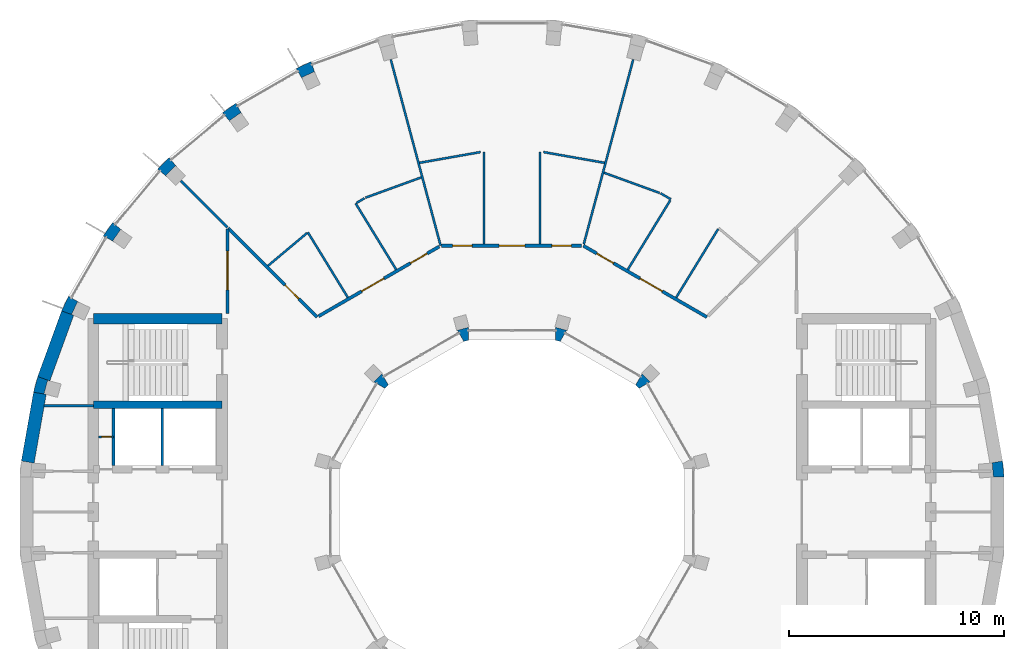
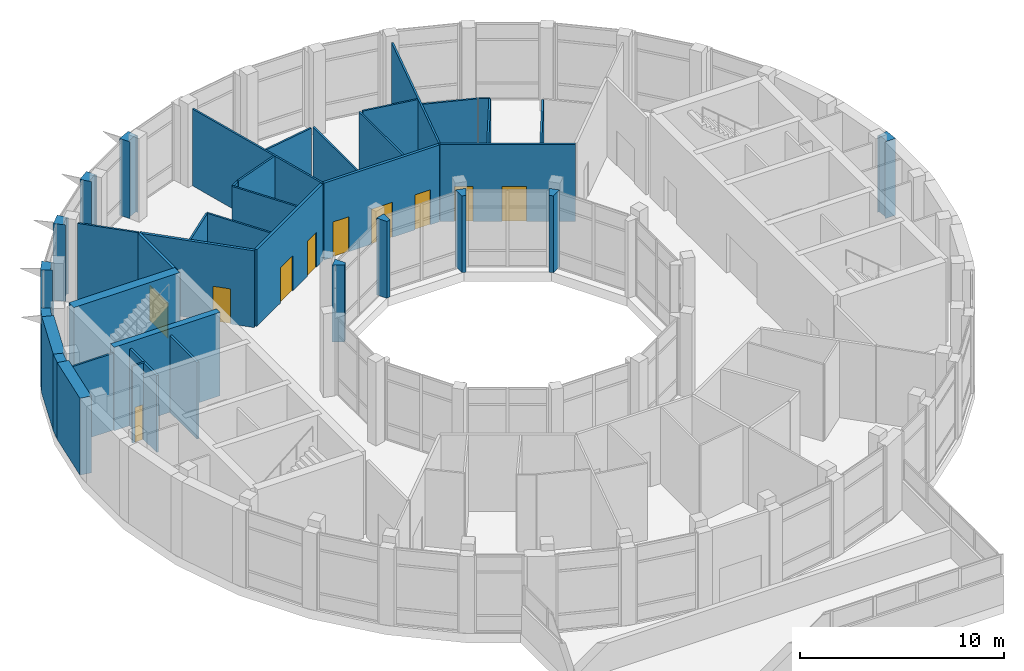
# One storey, part 16 of 19: 40 walls, 10 doors, 10 openings.
"""IFC4 building model written with IfcOpenShell, lengths in metres."""

from ifc_helpers import new_model, si_unit, direction, frame, frame_2d, origin, place, context, subcontext, project, spatial, polyline, rectangle, outline, extrude, material, layer, layer_set, type_object, element, fill, save


model = new_model("IFC4")

# Units and contexts
model_context = context("Model", 3, precision=1e-05, world=origin(), true_north=direction((0.0, 1.0)))
body_context = subcontext(model_context, "Body", "Model", "MODEL_VIEW")
ifc_project = project(units=[si_unit("LENGTHUNIT", "METRE"), si_unit("AREAUNIT", "SQUARE_METRE"), si_unit("VOLUMEUNIT", "CUBIC_METRE"), si_unit("PLANEANGLEUNIT", "RADIAN"), si_unit("MASSUNIT", "GRAM", prefix="KILO")], contexts=[model_context])

# Site, building, storey
site_placement = place(None, origin())
site = spatial("IfcSite", under=ifc_project, at=site_placement, CompositionType="ELEMENT")
building_placement = place(site_placement, origin())
building = spatial("IfcBuilding", under=site, at=building_placement, Name="Saqina Gate Tower", CompositionType="ELEMENT")
storey_placement = place(building_placement, frame((0.0, 0.0, 224.699951171875)))
storey = spatial("IfcBuildingStorey", under=building, at=storey_placement, Name="L64", CompositionType="ELEMENT", Elevation=224.699951171875)

# Walls
ifc_material_1 = material(Name="Brick masonry (buff)", Category="masonry")
wall_type_1 = type_object("IfcWallType", Name="BRICK PIER COPING BUFF", PredefinedType="SOLIDWALL", material=ifc_material_1)
wall_1_placement = place(storey_placement, origin())
element("IfcWall", 1, at=wall_1_placement, inside=storey, type_object=wall_type_1, Name="Pier cap L64 column 1", PredefinedType="SOLIDWALL", context=body_context, shape_type="SweptSolid", body=[
    extrude(outline(polyline([(22.91259765625, 1.625732421875), (22.8466796875, 2.377685546875), (22.255859375, 2.2734375), (22.361083984375, 2.28271484375), (22.417724609375, 1.635009765625), (22.3125, 1.625732421875), (22.91259765625, 1.625732421875)])), origin(), (0.0, 0.0, 1.0), 4.60009765625),
])
wall_2_placement = place(storey_placement, origin())
element("IfcWall", 2, at=wall_2_placement, inside=storey, type_object=wall_type_1, Name="Pier cap L64 column 12", PredefinedType="SOLIDWALL", context=body_context, shape_type="SweptSolid", body=[
    extrude(outline(polyline([(-9.3642578125, 20.974609375), (-10.048095703125, 20.65576171875), (-9.748291015625, 20.135986328125), (-9.79296875, 20.23193359375), (-9.203857421875, 20.506591796875), (-9.1591796875, 20.410888671875), (-9.3642578125, 20.974609375)])), origin(), (0.0, 0.0, 1.0), 4.60009765625),
])
wall_3_placement = place(storey_placement, origin())
element("IfcWall", 3, at=wall_3_placement, inside=storey, type_object=wall_type_1, Name="Pier cap L64 column 13", PredefinedType="SOLIDWALL", context=body_context, shape_type="SweptSolid", body=[
    extrude(outline(polyline([(-12.8642578125, 19.02978515625), (-13.482421875, 18.59716796875), (-13.0966796875, 18.137451171875), (-13.157470703125, 18.22412109375), (-12.625, 18.596923828125), (-12.564208984375, 18.51025390625), (-12.8642578125, 19.02978515625)])), origin(), (0.0, 0.0, 1.0), 4.60009765625),
])
wall_4_placement = place(storey_placement, origin())
element("IfcWall", 4, at=wall_4_placement, inside=storey, type_object=wall_type_1, Name="Pier cap L64 column 14", PredefinedType="SOLIDWALL", context=body_context, shape_type="SweptSolid", body=[
    extrude(outline(polyline([(-16.5068359375, 15.973388671875), (-16.04736328125, 15.587646484375), (-16.1220703125, 15.662353515625), (-15.662353515625, 16.1220703125), (-15.587646484375, 16.04736328125), (-15.973388671875, 16.5068359375), (-16.5068359375, 15.973388671875)])), origin(), (0.0, 0.0, 1.0), 4.60009765625),
])
wall_5_placement = place(storey_placement, origin())
element("IfcWall", 5, at=wall_5_placement, inside=storey, type_object=wall_type_1, Name="Pier cap L64 column 15", PredefinedType="SOLIDWALL", context=body_context, shape_type="SweptSolid", body=[
    extrude(outline(polyline([(-19.02978515625, 12.8642578125), (-18.51025390625, 12.564208984375), (-18.596923828125, 12.625), (-18.22412109375, 13.157470703125), (-18.137451171875, 13.0966796875), (-18.59716796875, 13.482421875), (-19.02978515625, 12.8642578125)])), origin(), (0.0, 0.0, 1.0), 4.60009765625),
])
wall_6_placement = place(storey_placement, origin())
element("IfcWall", 6, at=wall_6_placement, inside=storey, type_object=wall_type_1, Name="Pier cap L64 column 16", PredefinedType="SOLIDWALL", context=body_context, shape_type="SweptSolid", body=[
    extrude(outline(polyline([(-20.65576171875, 10.048095703125), (-20.974609375, 9.3642578125), (-20.410888671875, 9.1591796875), (-20.506591796875, 9.203857421875), (-20.23193359375, 9.79296875), (-20.135986328125, 9.748291015625), (-20.65576171875, 10.048095703125)])), origin(), (0.0, 0.0, 1.0), 4.60009765625),
])
wall_7_placement = place(storey_placement, origin())
element("IfcWall", 7, at=wall_7_placement, inside=storey, type_object=wall_type_1, Name="Pier cap L64 column 17", PredefinedType="SOLIDWALL", context=body_context, shape_type="SweptSolid", body=[
    extrude(outline(polyline([(-22.281982421875, 5.579833984375), (-21.691162109375, 5.4755859375), (-21.793212890625, 5.5029296875), (-21.625, 6.130859375), (-21.52294921875, 6.103515625), (-22.0869140625, 6.30859375), (-22.281982421875, 5.579833984375)])), origin(), (0.0, 0.0, 1.0), 4.60009765625),
])

# Wall, opening, door
ifc_material_2 = material(Name="Gypsum board on steel studs", Category="steel")
ifc_layer_1 = layer(ifc_material_2, 0.10009765625)
ifc_layer_set_1 = layer_set([ifc_layer_1], Name="CORE PARTITION")
wall_type_2 = type_object("IfcWallType", Name="CORE PARTITION", PredefinedType="PARTITIONING", material=ifc_layer_set_1)
wall_8_placement = place(storey_placement, frame((-18.56005859375, 3.5, 0.0), z_axis=(0.0, 0.0, 1.0), x_axis=(-1.0, 0.0, 0.0)))
wall_8 = element("IfcWall", 8, at=wall_8_placement, inside=storey, type_object=wall_type_2, Name="L64-CP-W01", PredefinedType="PARTITIONING", context=body_context, shape_type="SweptSolid", body=[
    extrude(rectangle(XDim=0.68994140625, YDim=0.10009765625, at=frame_2d((0.344970703125, 0.0))), origin(), (0.0, 0.0, 1.0), 4.60009765625),
])
opening_1_placement = place(wall_8_placement, frame((0.10009765625, 0.0, 0.0)))
opening_1 = element("IfcOpeningElement", 9, at=opening_1_placement, cuts=wall_8, Name="Opening L64-D107", PredefinedType="OPENING", context=body_context, shape_type="SweptSolid", body=[
    extrude(rectangle(XDim=0.449951171875, YDim=2.10009765625, at=frame_2d((0.22509765625, 1.050048828125))), frame((0.0, 0.06201171875, 0.0), z_axis=(0.0, -1.0, 0.0), x_axis=(1.0, 0.0, 0.0)), (0.0, 0.0, 1.0), 0.1240234375),
])
ifc_material_3 = material(Name="Steel-framed fire door leaf, EI 60", Category="steel")
door_type_1 = type_object("IfcDoorType", Name="SERVICE ROOM DOOR 450", OperationType="SINGLE_SWING_LEFT", PredefinedType="DOOR", material=ifc_material_3)
door_1_placement = place(opening_1_placement, origin())
door_1 = element("IfcDoor", 10, at=door_1_placement, inside=storey, type_object=door_type_1, Name="L64-CD-W18", OperationType="SINGLE_SWING_RIGHT", OverallHeight=2.10009765625, OverallWidth=0.449951171875, PredefinedType="DOOR", context=body_context, shape_type="SweptSolid", body=[
    extrude(rectangle(XDim=0.449951171875, YDim=2.10009765625, at=frame_2d((0.22509765625, 1.050048828125))), frame((0.0, 0.02490234375, 0.0), z_axis=(0.0, -1.0, 0.0), x_axis=(1.0, 0.0, 0.0)), (0.0, 0.0, 1.0), 0.050048828125),
])
fill(opening_1, door_1)

# Walls
wall_9_placement = place(storey_placement, frame((-19.5, 4.949951171875, 0.0), z_axis=(0.0, 0.0, 1.0), x_axis=(-1.0, 0.0, 0.0)))
element("IfcWall", 11, at=wall_9_placement, inside=storey, type_object=wall_type_2, Name="L64-CP-W02", PredefinedType="PARTITIONING", context=body_context, shape_type="SweptSolid", body=[
    extrude(rectangle(XDim=2.283935546875, YDim=0.10009765625, at=frame_2d((1.14208984375, 0.0))), origin(), (0.0, 0.0, 1.0), 4.60009765625),
])
ifc_material_4 = material(Name="Glazed ceramic tile", Category="ceramic")
ifc_layer_2 = layer(ifc_material_4, 0.60009765625)
ifc_layer_set_2 = layer_set([ifc_layer_2], Name="FW-TILE")
wall_type_3 = type_object("IfcWallType", Name="FW-TILE", PredefinedType="SOLIDWALL", material=ifc_layer_set_2)
wall_10_placement = place(storey_placement, frame((-21.986572265625, 5.52783203125, 0.0), z_axis=(0.0, 0.0, 1.0), x_axis=(-0.173656842178, -0.984806225186, 0.0)))
element("IfcWall", 12, at=wall_10_placement, inside=storey, type_object=wall_type_3, Name="Facade wall L64 facet 17", PredefinedType="SOLIDWALL", context=body_context, shape_type="SweptSolid", body=[
    extrude(rectangle(XDim=3.251708984375, YDim=0.60009765625, at=frame_2d((1.6259765625, 0.0))), origin(), (0.0, 0.0, 1.0), 4.60009765625),
])
ifc_material_5 = material(Name="Glazed ceramic tile (white)", Category="ceramic")
ifc_layer_3 = layer(ifc_material_5, 0.60009765625)
ifc_layer_set_3 = layer_set([ifc_layer_3], Name="FW-TILE-WH")
wall_type_4 = type_object("IfcWallType", Name="FW-TILE-WH", PredefinedType="SOLIDWALL", material=ifc_layer_set_3)
wall_11_placement = place(storey_placement, frame((-20.692626953125, 9.26171875, 0.0), z_axis=(0.0, 0.0, 1.0), x_axis=(-0.342056509473, -0.939679383794, 0.0)))
element("IfcWall", 13, at=wall_11_placement, inside=storey, type_object=wall_type_4, Name="Facade wall L64 facet 16", PredefinedType="SOLIDWALL", context=body_context, shape_type="SweptSolid", body=[
    extrude(rectangle(XDim=3.251708984375, YDim=0.60009765625, at=frame_2d((1.6259765625, 0.0))), origin(), (0.0, 0.0, 1.0), 4.60009765625),
])
ifc_material_6 = material(Name="Autoclaved aerated concrete block", Category="concrete")
ifc_layer_4 = layer(ifc_material_6, 0.1201171875)
ifc_layer_set_4 = layer_set([ifc_layer_4], Name="SHAFT PARTITION")
wall_type_5 = type_object("IfcWallType", Name="SHAFT PARTITION", PredefinedType="PARTITIONING", material=ifc_layer_set_4)
for number, where, z_axis, x_axis, name in (
    (14, (-16.280029296875, 2.175048828125, 0.0), (0.0, 0.0, 1.0), (0.0, 1.0, 0.0), "L64-CP-W07"),
    (15, (-18.56005859375, 2.175048828125, 0.0), (0.0, 0.0, 1.0), (0.0, 1.0, 0.0), "L64-CP-W08"),
):
    element("IfcWall", number, at=place(storey_placement, frame(where, z_axis=z_axis, x_axis=x_axis)), inside=storey, type_object=wall_type_5, Name=name, PredefinedType="PARTITIONING", context=body_context, shape_type="SweptSolid", body=[
        extrude(rectangle(XDim=2.64990234375, YDim=0.1201171875, at=frame_2d((1.324951171875, 0.0))), origin(), (0.0, 0.0, 1.0), 4.60009765625),
    ])
ifc_material_7 = material(Name="Gypsum board on steel studs, 100 mm", Category="steel")
ifc_layer_5 = layer(ifc_material_7, 0.10009765625)
ifc_layer_set_5 = layer_set([ifc_layer_5], Name="SPECIAL PARTITION 100")
wall_type_6 = type_object("IfcWallType", Name="SPECIAL PARTITION 100", PredefinedType="PARTITIONING", material=ifc_layer_set_5)
wall_12_placement = place(storey_placement, frame((-5.645751953125, 21.07177734375, 0.0), z_axis=(0.0, 0.0, 1.0), x_axis=(0.258728835498, -0.965949993365, 0.0)))
element("IfcWall", 16, at=wall_12_placement, inside=storey, type_object=wall_type_6, Name="PARTITION 001", PredefinedType="PARTITIONING", context=body_context, shape_type="SweptSolid", body=[
    extrude(rectangle(XDim=8.9775390625, YDim=0.10009765625, at=frame_2d((4.48876953125, 0.0))), origin(), (0.0, 0.0, 1.0), 4.60009765625),
])
wall_13_placement = place(storey_placement, frame((-9.506103515625, 13.02392578125, 0.0), z_axis=(0.0, 0.0, 1.0), x_axis=(0.522634449586, -0.852556879103, 0.0)))
element("IfcWall", 17, at=wall_13_placement, inside=storey, type_object=wall_type_6, Name="PARTITION 004", PredefinedType="PARTITIONING", context=body_context, shape_type="SweptSolid", body=[
    extrude(rectangle(XDim=3.55859375, YDim=0.10009765625, at=frame_2d((1.779296875, 0.0))), origin(), (0.0, 0.0, 1.0), 4.60009765625),
])
wall_14_placement = place(storey_placement, frame((-7.281982421875, 14.3720703125, 0.0), z_axis=(0.0, 0.0, 1.0), x_axis=(0.522422625175, -0.852686695513, 0.0)))
element("IfcWall", 18, at=wall_14_placement, inside=storey, type_object=wall_type_6, Name="PARTITION 005", PredefinedType="PARTITIONING", context=body_context, shape_type="SweptSolid", body=[
    extrude(rectangle(XDim=3.61328125, YDim=0.10009765625, at=frame_2d((1.806640625, 0.0))), origin(), (0.0, 0.0, 1.0), 4.60009765625),
])
wall_15_placement = place(storey_placement, frame((-15.425537109375, 15.425537109375, 0.0), z_axis=(0.0, 0.0, 1.0), x_axis=(0.707106781187, -0.707106781187, 0.0)))
element("IfcWall", 19, at=wall_15_placement, inside=storey, type_object=wall_type_6, Name="PARTITION 008", PredefinedType="PARTITIONING", context=body_context, shape_type="SweptSolid", body=[
    extrude(rectangle(XDim=3.07666015625, YDim=0.10009765625, at=frame_2d((1.538330078125, 0.0))), origin(), (0.0, 0.0, 1.0), 4.60009765625),
])
wall_16_placement = place(storey_placement, frame((6.919921875, 14.841064453125, 0.0), z_axis=(0.0, 0.0, 1.0), x_axis=(0.866038875684, -0.49997666526, 0.0)))
element("IfcWall", 20, at=wall_16_placement, inside=storey, type_object=wall_type_6, Name="PARTITION 016", PredefinedType="PARTITIONING", context=body_context, shape_type="SweptSolid", body=[
    extrude(rectangle(XDim=0.55419921875, YDim=0.10009765625, at=frame_2d((0.277099609375, 0.0))), origin(), (0.0, 0.0, 1.0), 4.60009765625),
])
wall_17_placement = place(storey_placement, frame((4.284912109375, 15.7998046875, 0.0), z_axis=(0.0, 0.0, 1.0), x_axis=(0.93973388068, -0.341906761417, 0.0)))
element("IfcWall", 21, at=wall_17_placement, inside=storey, type_object=wall_type_6, Name="PARTITION 019", PredefinedType="PARTITIONING", context=body_context, shape_type="SweptSolid", body=[
    extrude(rectangle(XDim=2.754150390625, YDim=0.10009765625, at=frame_2d((1.376953125, 0.0))), origin(), (0.0, 0.0, 1.0), 4.60009765625),
])
wall_18_placement = place(storey_placement, frame((1.467041015625, 16.761962890625, 0.0), z_axis=(0.0, 0.0, 1.0), x_axis=(0.984824461094, -0.173553394752, 0.0)))
element("IfcWall", 22, at=wall_18_placement, inside=storey, type_object=wall_type_6, Name="PARTITION 021", PredefinedType="PARTITIONING", context=body_context, shape_type="SweptSolid", body=[
    extrude(rectangle(XDim=2.88232421875, YDim=0.10009765625, at=frame_2d((1.441162109375, 0.0))), origin(), (0.0, 0.0, 1.0), 4.60009765625),
])
wall_19_placement = place(storey_placement, frame((-4.305908203125, 16.26171875, 0.0), z_axis=(0.0, 0.0, 1.0), x_axis=(0.984827012051, 0.17353891879, 0.0)))
element("IfcWall", 23, at=wall_19_placement, inside=storey, type_object=wall_type_6, Name="PARTITION 025", PredefinedType="PARTITIONING", context=body_context, shape_type="SweptSolid", body=[
    extrude(rectangle(XDim=2.882568359375, YDim=0.10009765625, at=frame_2d((1.44140625, 0.0))), origin(), (0.0, 0.0, 1.0), 4.60009765625),
])
wall_20_placement = place(storey_placement, frame((-6.824951171875, 14.635986328125, 0.0), z_axis=(0.0, 0.0, 1.0), x_axis=(0.939664442714, 0.342097552023, 0.0)))
element("IfcWall", 24, at=wall_20_placement, inside=storey, type_object=wall_type_6, Name="PARTITION 027", PredefinedType="PARTITIONING", context=body_context, shape_type="SweptSolid", body=[
    extrude(rectangle(XDim=2.7646484375, YDim=0.10009765625, at=frame_2d((1.38232421875, 0.0))), origin(), (0.0, 0.0, 1.0), 4.60009765625),
])
wall_21_placement = place(storey_placement, frame((-7.23876953125, 14.39697265625, 0.0), z_axis=(0.0, 0.0, 1.0), x_axis=(0.865738694872, 0.500496265921, 0.0)))
element("IfcWall", 25, at=wall_21_placement, inside=storey, type_object=wall_type_6, Name="PARTITION 031", PredefinedType="PARTITIONING", context=body_context, shape_type="SweptSolid", body=[
    extrude(rectangle(XDim=0.427734375, YDim=0.10009765625, at=frame_2d((0.2138671875, 0.0))), origin(), (0.0, 0.0, 1.0), 4.60009765625),
])
wall_22_placement = place(storey_placement, frame((-11.361572265625, 11.46728515625, 0.0), z_axis=(0.0, 0.0, 1.0), x_axis=(0.766108172673, 0.642711652115, 0.0)))
element("IfcWall", 26, at=wall_22_placement, inside=storey, type_object=wall_type_6, Name="PARTITION 033", PredefinedType="PARTITIONING", context=body_context, shape_type="SweptSolid", body=[
    extrude(rectangle(XDim=2.372314453125, YDim=0.10009765625, at=frame_2d((1.18603515625, 0.0))), origin(), (0.0, 0.0, 1.0), 4.60009765625),
])
wall_23_placement = place(storey_placement, frame((7.646240234375, 9.989990234375, 0.0), z_axis=(0.0, 0.0, 1.0), x_axis=(0.522631009754, 0.852558987779, 0.0)))
element("IfcWall", 27, at=wall_23_placement, inside=storey, type_object=wall_type_6, Name="PARTITION 040", PredefinedType="PARTITIONING", context=body_context, shape_type="SweptSolid", body=[
    extrude(rectangle(XDim=3.736083984375, YDim=0.10009765625, at=frame_2d((1.8681640625, 0.0))), origin(), (0.0, 0.0, 1.0), 4.60009765625),
])
wall_24_placement = place(storey_placement, frame((5.394287109375, 11.291015625, 0.0), z_axis=(0.0, 0.0, 1.0), x_axis=(0.522471391937, 0.852656815259, 0.0)))
element("IfcWall", 28, at=wall_24_placement, inside=storey, type_object=wall_type_6, Name="PARTITION 041", PredefinedType="PARTITIONING", context=body_context, shape_type="SweptSolid", body=[
    extrude(rectangle(XDim=3.788818359375, YDim=0.10009765625, at=frame_2d((1.89453125, 0.0))), origin(), (0.0, 0.0, 1.0), 4.60009765625),
])
wall_25_placement = place(storey_placement, frame((3.34228515625, 12.472412109375, 0.0), z_axis=(0.0, 0.0, 1.0), x_axis=(0.258684909749, 0.965961757767, 0.0)))
element("IfcWall", 29, at=wall_25_placement, inside=storey, type_object=wall_type_6, Name="PARTITION 043", PredefinedType="PARTITIONING", context=body_context, shape_type="SweptSolid", body=[
    extrude(rectangle(XDim=8.902587890625, YDim=0.10009765625, at=frame_2d((4.451171875, 0.0))), origin(), (0.0, 0.0, 1.0), 4.60009765625),
])
for number, where, z_axis, x_axis, name in (
    (30, (1.300048828125, 12.47509765625, 0.0), (0.0, 0.0, 1.0), (0.0, 1.0, 0.0), "PARTITION 047"),
    (31, (-1.300048828125, 12.47509765625, 0.0), (0.0, 0.0, 1.0), (0.0, 1.0, 0.0), "PARTITION 048"),
):
    element("IfcWall", number, at=place(storey_placement, frame(where, z_axis=z_axis, x_axis=x_axis)), inside=storey, type_object=wall_type_6, Name=name, PredefinedType="PARTITIONING", context=body_context, shape_type="SweptSolid", body=[
        extrude(rectangle(XDim=4.286865234375, YDim=0.10009765625, at=frame_2d((2.1435546875, 0.0))), origin(), (0.0, 0.0, 1.0), 4.60009765625),
    ])

# Wall, opening, door
ifc_material_8 = material(Name="Gypsum board on steel studs, 150 mm, fire rated", Category="steel")
ifc_layer_6 = layer(ifc_material_8, 0.14990234375)
ifc_layer_set_6 = layer_set([ifc_layer_6], Name="SPECIAL PARTITION EI 30 150")
wall_type_7 = type_object("IfcWallType", Name="SPECIAL PARTITION EI 30 150", PredefinedType="PARTITIONING", material=ifc_layer_set_6)
wall_26_placement = place(storey_placement, frame((-13.214599609375, 13.214599609375, 0.0), z_axis=(0.0, 0.0, 1.0), x_axis=(0.707106781187, -0.707106781187, 0.0)))
wall_26 = element("IfcWall", 32, at=wall_26_placement, inside=storey, type_object=wall_type_7, Name="PARTITION 010", PredefinedType="PARTITIONING", context=body_context, shape_type="SweptSolid", body=[
    extrude(rectangle(XDim=5.8515625, YDim=0.14990234375, at=frame_2d((2.92578125, 0.0))), origin(), (0.0, 0.0, 1.0), 4.60009765625),
])
opening_2_placement = place(wall_26_placement, frame((3.74560546875, 0.0, 0.0)))
opening_2 = element("IfcOpeningElement", 33, at=opening_2_placement, cuts=wall_26, Name="Opening L64-D10", PredefinedType="OPENING", context=body_context, shape_type="SweptSolid", body=[
    extrude(rectangle(XDim=0.89990234375, YDim=2.10009765625, at=frame_2d((0.449951171875, 1.050048828125))), frame((0.0, 0.0869140625, 0.0), z_axis=(0.0, -1.0, 0.0), x_axis=(1.0, 0.0, 0.0)), (0.0, 0.0, 1.0), 0.173828125),
])
ifc_material_9 = material(Name="Steel-framed fire door leaf, EI 30", Category="steel")
door_type_2 = type_object("IfcDoorType", Name="SPECIAL DOOR 900 FIRE EI 30", OperationType="SINGLE_SWING_LEFT", PredefinedType="DOOR", material=ifc_material_9)
door_2_placement = place(opening_2_placement, origin())
door_2 = element("IfcDoor", 34, at=door_2_placement, inside=storey, type_object=door_type_2, Name="DOOR L64-D10", OperationType="SINGLE_SWING_RIGHT", OverallHeight=2.10009765625, OverallWidth=0.89990234375, PredefinedType="DOOR", context=body_context, shape_type="SweptSolid", body=[
    extrude(rectangle(XDim=0.89990234375, YDim=2.10009765625, at=frame_2d((0.449951171875, 1.050048828125))), frame((0.0, 0.02490234375, 0.0), z_axis=(0.0, -1.0, 0.0), x_axis=(1.0, 0.0, 0.0)), (0.0, 0.0, 1.0), 0.050048828125),
])
fill(opening_2, door_2)

# Wall, openings, doors
wall_27_placement = place(storey_placement, frame((3.322998046875, 12.39990234375, 0.0), z_axis=(0.0, 0.0, 1.0), x_axis=(0.865961614908, -0.500110469302, 0.0)))
wall_27 = element("IfcWall", 35, at=wall_27_placement, inside=storey, type_object=wall_type_7, Name="PARTITION 015", PredefinedType="PARTITIONING", context=body_context, shape_type="SweptSolid", body=[
    extrude(rectangle(XDim=6.64453125, YDim=0.14990234375, at=frame_2d((3.322265625, 0.0))), origin(), (0.0, 0.0, 1.0), 4.60009765625),
])
opening_3_placement = place(wall_27_placement, frame((3.046630859375, 0.0, 0.0)))
opening_3 = element("IfcOpeningElement", 36, at=opening_3_placement, cuts=wall_27, Name="Opening L64-D03", PredefinedType="OPENING", context=body_context, shape_type="SweptSolid", body=[
    extrude(rectangle(XDim=1.199951171875, YDim=2.10009765625, at=frame_2d((0.60009765625, 1.050048828125))), frame((0.0, 0.0869140625, 0.0), z_axis=(0.0, -1.0, 0.0), x_axis=(1.0, 0.0, 0.0)), (0.0, 0.0, 1.0), 0.173828125),
])
opening_4_placement = place(wall_27_placement, frame((0.72314453125, 0.0, 0.0)))
opening_4 = element("IfcOpeningElement", 37, at=opening_4_placement, cuts=wall_27, Name="Opening L64-D04", PredefinedType="OPENING", context=body_context, shape_type="SweptSolid", body=[
    extrude(rectangle(XDim=0.89990234375, YDim=2.10009765625, at=frame_2d((0.449951171875, 1.050048828125))), frame((0.0, 0.0869140625, 0.0), z_axis=(0.0, -1.0, 0.0), x_axis=(1.0, 0.0, 0.0)), (0.0, 0.0, 1.0), 0.173828125),
])
ifc_material_10 = material(Name="Steel-framed fire door leaf, EI 30", Category="steel")
door_type_3 = type_object("IfcDoorType", Name="SPECIAL DOOR 1200 FIRE EI 30", OperationType="SINGLE_SWING_LEFT", PredefinedType="DOOR", material=ifc_material_10)
door_3_placement = place(opening_3_placement, frame((1.199951171875, 0.0, 0.0), z_axis=(0.0, 0.0, 1.0), x_axis=(-1.0, 0.0, 0.0)))
door_3 = element("IfcDoor", 38, at=door_3_placement, inside=storey, type_object=door_type_3, Name="DOOR L64-D03", OperationType="SINGLE_SWING_LEFT", OverallHeight=2.10009765625, OverallWidth=1.199951171875, PredefinedType="DOOR", context=body_context, shape_type="SweptSolid", body=[
    extrude(rectangle(XDim=1.199951171875, YDim=2.10009765625, at=frame_2d((0.60009765625, 1.050048828125))), frame((0.0, 0.02490234375, 0.0), z_axis=(0.0, -1.0, 0.0), x_axis=(1.0, 0.0, 0.0)), (0.0, 0.0, 1.0), 0.050048828125),
])
fill(opening_3, door_3)
door_4_placement = place(opening_4_placement, origin())
door_4 = element("IfcDoor", 39, at=door_4_placement, inside=storey, type_object=door_type_2, Name="DOOR L64-D04", OperationType="SINGLE_SWING_LEFT", OverallHeight=2.10009765625, OverallWidth=0.89990234375, PredefinedType="DOOR", context=body_context, shape_type="SweptSolid", body=[
    extrude(rectangle(XDim=0.89990234375, YDim=2.10009765625, at=frame_2d((0.449951171875, 1.050048828125))), frame((0.0, 0.02490234375, 0.0), z_axis=(0.0, -1.0, 0.0), x_axis=(1.0, 0.0, 0.0)), (0.0, 0.0, 1.0), 0.050048828125),
])
fill(opening_4, door_4)

wall_28_placement = place(storey_placement, frame((-3.27294921875, 12.39990234375, 0.0), z_axis=(0.0, 0.0, 1.0), x_axis=(1.0, 0.0, 0.0)))
wall_28 = element("IfcWall", 40, at=wall_28_placement, inside=storey, type_object=wall_type_7, Name="PARTITION 023", PredefinedType="PARTITIONING", context=body_context, shape_type="SweptSolid", body=[
    extrude(rectangle(XDim=6.52099609375, YDim=0.14990234375, at=frame_2d((3.260498046875, 0.0))), origin(), (0.0, 0.0, 1.0), 4.60009765625),
])
opening_5_placement = place(wall_28_placement, frame((5.134521484375, 0.0, 0.0)))
opening_5 = element("IfcOpeningElement", 41, at=opening_5_placement, cuts=wall_28, Name="Opening L64-D05", PredefinedType="OPENING", context=body_context, shape_type="SweptSolid", body=[
    extrude(rectangle(XDim=0.89990234375, YDim=2.10009765625, at=frame_2d((0.449951171875, 1.050048828125))), frame((0.0, 0.0869140625, 0.0), z_axis=(0.0, -1.0, 0.0), x_axis=(1.0, 0.0, 0.0)), (0.0, 0.0, 1.0), 0.173828125),
])
opening_6_placement = place(wall_28_placement, frame((2.673095703125, 0.0, 0.0)))
opening_6 = element("IfcOpeningElement", 42, at=opening_6_placement, cuts=wall_28, Name="Opening L64-D06", PredefinedType="OPENING", context=body_context, shape_type="SweptSolid", body=[
    extrude(rectangle(XDim=1.199951171875, YDim=2.10009765625, at=frame_2d((0.60009765625, 1.050048828125))), frame((0.0, 0.0869140625, 0.0), z_axis=(0.0, -1.0, 0.0), x_axis=(1.0, 0.0, 0.0)), (0.0, 0.0, 1.0), 0.173828125),
])
opening_7_placement = place(wall_28_placement, frame((0.511474609375, 0.0, 0.0)))
opening_7 = element("IfcOpeningElement", 43, at=opening_7_placement, cuts=wall_28, Name="Opening L64-D07", PredefinedType="OPENING", context=body_context, shape_type="SweptSolid", body=[
    extrude(rectangle(XDim=0.89990234375, YDim=2.10009765625, at=frame_2d((0.449951171875, 1.050048828125))), frame((0.0, 0.0869140625, 0.0), z_axis=(0.0, -1.0, 0.0), x_axis=(1.0, 0.0, 0.0)), (0.0, 0.0, 1.0), 0.173828125),
])
door_5_placement = place(opening_6_placement, origin())
door_5 = element("IfcDoor", 44, at=door_5_placement, inside=storey, type_object=door_type_3, Name="DOOR L64-D06", OperationType="SINGLE_SWING_RIGHT", OverallHeight=2.10009765625, OverallWidth=1.199951171875, PredefinedType="DOOR", context=body_context, shape_type="SweptSolid", body=[
    extrude(rectangle(XDim=1.199951171875, YDim=2.10009765625, at=frame_2d((0.60009765625, 1.050048828125))), frame((0.0, 0.02490234375, 0.0), z_axis=(0.0, -1.0, 0.0), x_axis=(1.0, 0.0, 0.0)), (0.0, 0.0, 1.0), 0.050048828125),
])
fill(opening_6, door_5)
door_6_placement = place(opening_5_placement, origin())
door_6 = element("IfcDoor", 45, at=door_6_placement, inside=storey, type_object=door_type_2, Name="DOOR L64-D05", OperationType="SINGLE_SWING_LEFT", OverallHeight=2.10009765625, OverallWidth=0.89990234375, PredefinedType="DOOR", context=body_context, shape_type="SweptSolid", body=[
    extrude(rectangle(XDim=0.89990234375, YDim=2.10009765625, at=frame_2d((0.449951171875, 1.050048828125))), frame((0.0, 0.02490234375, 0.0), z_axis=(0.0, -1.0, 0.0), x_axis=(1.0, 0.0, 0.0)), (0.0, 0.0, 1.0), 0.050048828125),
])
fill(opening_5, door_6)
door_7_placement = place(opening_7_placement, origin())
door_7 = element("IfcDoor", 46, at=door_7_placement, inside=storey, type_object=door_type_2, Name="DOOR L64-D07", OperationType="SINGLE_SWING_RIGHT", OverallHeight=2.10009765625, OverallWidth=0.89990234375, PredefinedType="DOOR", context=body_context, shape_type="SweptSolid", body=[
    extrude(rectangle(XDim=0.89990234375, YDim=2.10009765625, at=frame_2d((0.449951171875, 1.050048828125))), frame((0.0, 0.02490234375, 0.0), z_axis=(0.0, -1.0, 0.0), x_axis=(1.0, 0.0, 0.0)), (0.0, 0.0, 1.0), 0.050048828125),
])
fill(opening_7, door_7)

wall_29_placement = place(storey_placement, frame((-9.01220703125, 9.114501953125, 0.0), z_axis=(0.0, 0.0, 1.0), x_axis=(0.865967095912, 0.5001009786, 0.0)))
wall_29 = element("IfcWall", 47, at=wall_29_placement, inside=storey, type_object=wall_type_7, Name="PARTITION 030", PredefinedType="PARTITIONING", context=body_context, shape_type="SweptSolid", body=[
    extrude(rectangle(XDim=6.494873046875, YDim=0.14990234375, at=frame_2d((3.24755859375, 0.0))), origin(), (0.0, 0.0, 1.0), 4.60009765625),
])
opening_8_placement = place(wall_29_placement, frame((4.946533203125, 0.0, 0.0)))
opening_8 = element("IfcOpeningElement", 48, at=opening_8_placement, cuts=wall_29, Name="Opening L64-D08", PredefinedType="OPENING", context=body_context, shape_type="SweptSolid", body=[
    extrude(rectangle(XDim=0.89990234375, YDim=2.10009765625, at=frame_2d((0.449951171875, 1.050048828125))), frame((0.0, 0.0869140625, 0.0), z_axis=(0.0, -1.0, 0.0), x_axis=(1.0, 0.0, 0.0)), (0.0, 0.0, 1.0), 0.173828125),
])
opening_9_placement = place(wall_29_placement, frame((2.322998046875, 0.0, 0.0)))
opening_9 = element("IfcOpeningElement", 49, at=opening_9_placement, cuts=wall_29, Name="Opening L64-D09", PredefinedType="OPENING", context=body_context, shape_type="SweptSolid", body=[
    extrude(rectangle(XDim=1.199951171875, YDim=2.10009765625, at=frame_2d((0.60009765625, 1.050048828125))), frame((0.0, 0.0869140625, 0.0), z_axis=(0.0, -1.0, 0.0), x_axis=(1.0, 0.0, 0.0)), (0.0, 0.0, 1.0), 0.173828125),
])
door_8_placement = place(opening_9_placement, frame((1.199951171875, 0.0, 0.0), z_axis=(0.0, 0.0, 1.0), x_axis=(-1.0, 0.0, 0.0)))
door_8 = element("IfcDoor", 50, at=door_8_placement, inside=storey, type_object=door_type_3, Name="DOOR L64-D09", OperationType="SINGLE_SWING_RIGHT", OverallHeight=2.10009765625, OverallWidth=1.199951171875, PredefinedType="DOOR", context=body_context, shape_type="SweptSolid", body=[
    extrude(rectangle(XDim=1.199951171875, YDim=2.10009765625, at=frame_2d((0.60009765625, 1.050048828125))), frame((0.0, 0.02490234375, 0.0), z_axis=(0.0, -1.0, 0.0), x_axis=(1.0, 0.0, 0.0)), (0.0, 0.0, 1.0), 0.050048828125),
])
fill(opening_9, door_8)
door_9_placement = place(opening_8_placement, origin())
door_9 = element("IfcDoor", 51, at=door_9_placement, inside=storey, type_object=door_type_2, Name="DOOR L64-D08", OperationType="SINGLE_SWING_RIGHT", OverallHeight=2.10009765625, OverallWidth=0.89990234375, PredefinedType="DOOR", context=body_context, shape_type="SweptSolid", body=[
    extrude(rectangle(XDim=0.89990234375, YDim=2.10009765625, at=frame_2d((0.449951171875, 1.050048828125))), frame((0.0, 0.02490234375, 0.0), z_axis=(0.0, -1.0, 0.0), x_axis=(1.0, 0.0, 0.0)), (0.0, 0.0, 1.0), 0.050048828125),
])
fill(opening_8, door_9)

# Wall, opening, door
wall_30_placement = place(storey_placement, frame((-13.25, 9.25, 0.0), z_axis=(0.0, 0.0, 1.0), x_axis=(0.0, 1.0, 0.0)))
wall_30 = element("IfcWall", 52, at=wall_30_placement, inside=storey, type_object=wall_type_7, Name="PARTITION 051", PredefinedType="PARTITIONING", context=body_context, shape_type="SweptSolid", body=[
    extrude(rectangle(XDim=3.925048828125, YDim=0.14990234375, at=frame_2d((1.96240234375, 0.0))), origin(), (0.0, 0.0, 1.0), 4.60009765625),
])
opening_10_placement = place(wall_30_placement, frame((1.10009765625, 0.0, 0.0)))
opening_10 = element("IfcOpeningElement", 53, at=opening_10_placement, cuts=wall_30, Name="Opening L64-D11", PredefinedType="OPENING", context=body_context, shape_type="SweptSolid", body=[
    extrude(rectangle(XDim=1.800048828125, YDim=2.10009765625, at=frame_2d((0.89990234375, 1.050048828125))), frame((0.0, 0.0869140625, 0.0), z_axis=(0.0, -1.0, 0.0), x_axis=(1.0, 0.0, 0.0)), (0.0, 0.0, 1.0), 0.173828125),
])
ifc_material_11 = material(Name="Steel-framed fire door leaf, EI 30", Category="steel")
door_type_4 = type_object("IfcDoorType", Name="SPECIAL DOUBLE DOOR 1800 FIRE EI 30", OperationType="DOUBLE_DOOR_SINGLE_SWING", PredefinedType="DOOR", material=ifc_material_11)
door_10_placement = place(opening_10_placement, origin())
door_10 = element("IfcDoor", 54, at=door_10_placement, inside=storey, type_object=door_type_4, Name="DOOR L64-D11", OperationType="DOUBLE_DOOR_SINGLE_SWING", OverallHeight=2.10009765625, OverallWidth=1.800048828125, PredefinedType="DOOR", context=body_context, shape_type="SweptSolid", body=[
    extrude(rectangle(XDim=1.800048828125, YDim=2.10009765625, at=frame_2d((0.89990234375, 1.050048828125))), frame((0.0, 0.02490234375, 0.0), z_axis=(0.0, -1.0, 0.0), x_axis=(1.0, 0.0, 0.0)), (0.0, 0.0, 1.0), 0.050048828125),
])
fill(opening_10, door_10)

# Walls
ifc_material_12 = material(Name="Concrete C60/75", Category="concrete")
ifc_layer_7 = layer(ifc_material_12, 0.35009765625)
ifc_layer_set_7 = layer_set([ifc_layer_7], Name="Concrete C60/75")
wall_type_8 = type_object("IfcWallType", Name="STR-CORE WALL-D-I", PredefinedType="SHEAR", material=ifc_layer_set_7)
wall_31_placement = place(storey_placement, frame((-13.5, 5.0, 0.0), z_axis=(0.0, 0.0, 1.0), x_axis=(-1.0, 0.0, 0.0)))
element("IfcWall", 55, at=wall_31_placement, inside=storey, type_object=wall_type_8, Name="CORE WALL L64 W-X1", PredefinedType="SHEAR", context=body_context, shape_type="SweptSolid", body=[
    extrude(rectangle(XDim=6.0, YDim=0.35009765625, at=frame_2d((3.0, 0.0))), origin(), (0.0, 0.0, 1.0), 5.0),
])
ifc_material_13 = material(Name="Concrete C60/75", Category="concrete")
ifc_layer_8 = layer(ifc_material_13, 0.5)
ifc_layer_set_8 = layer_set([ifc_layer_8], Name="Concrete C60/75")
wall_type_9 = type_object("IfcWallType", Name="STR-CORE WALL-D-O", PredefinedType="SHEAR", material=ifc_layer_set_8)
wall_32_placement = place(storey_placement, frame((-13.5, 9.0, 0.0), z_axis=(0.0, 0.0, 1.0), x_axis=(-1.0, 0.0, 0.0)))
element("IfcWall", 56, at=wall_32_placement, inside=storey, type_object=wall_type_9, Name="CORE WALL L64 W-NE", PredefinedType="SHEAR", context=body_context, shape_type="SweptSolid", body=[
    extrude(rectangle(XDim=6.0, YDim=0.5, at=frame_2d((3.0, 0.0))), origin(), (0.0, 0.0, 1.0), 5.0),
])
ifc_material_14 = material(Name="Glazed ceramic tile", Category="ceramic")
wall_type_10 = type_object("IfcWallType", Name="TILE PIER COPING", PredefinedType="SOLIDWALL", material=ifc_material_14)
wall_33_placement = place(storey_placement, origin())
element("IfcWall", 57, at=wall_33_placement, inside=storey, type_object=wall_type_10, Name="Well pier cap L64 column 2", PredefinedType="SOLIDWALL", context=body_context, shape_type="SweptSolid", body=[
    extrude(outline(polyline([(6.0576171875, 6.43310546875), (5.757568359375, 5.91357421875), (5.91357421875, 5.757568359375), (6.43310546875, 6.0576171875), (6.0576171875, 6.43310546875)])), origin(), (0.0, 0.0, 1.0), 4.60009765625),
])
wall_34_placement = place(storey_placement, origin())
element("IfcWall", 58, at=wall_34_placement, inside=storey, type_object=wall_type_10, Name="Well pier cap L64 column 3", PredefinedType="SOLIDWALL", context=body_context, shape_type="SweptSolid", body=[
    extrude(outline(polyline([(2.029296875, 8.60009765625), (2.029296875, 8.0), (2.242431640625, 7.94287109375), (2.54248046875, 8.46240234375), (2.029296875, 8.60009765625)])), origin(), (0.0, 0.0, 1.0), 4.60009765625),
])
wall_35_placement = place(storey_placement, origin())
element("IfcWall", 59, at=wall_35_placement, inside=storey, type_object=wall_type_10, Name="Well pier cap L64 column 4", PredefinedType="SOLIDWALL", context=body_context, shape_type="SweptSolid", body=[
    extrude(outline(polyline([(-2.54248046875, 8.46240234375), (-2.242431640625, 7.94287109375), (-2.029296875, 8.0), (-2.029296875, 8.60009765625), (-2.54248046875, 8.46240234375)])), origin(), (0.0, 0.0, 1.0), 4.60009765625),
])
wall_36_placement = place(storey_placement, origin())
element("IfcWall", 60, at=wall_36_placement, inside=storey, type_object=wall_type_10, Name="Well pier cap L64 column 5", PredefinedType="SOLIDWALL", context=body_context, shape_type="SweptSolid", body=[
    extrude(outline(polyline([(-6.43310546875, 6.0576171875), (-5.91357421875, 5.757568359375), (-5.757568359375, 5.91357421875), (-6.0576171875, 6.43310546875), (-6.43310546875, 6.0576171875)])), origin(), (0.0, 0.0, 1.0), 4.60009765625),
])

save(model, "model.ifc")
